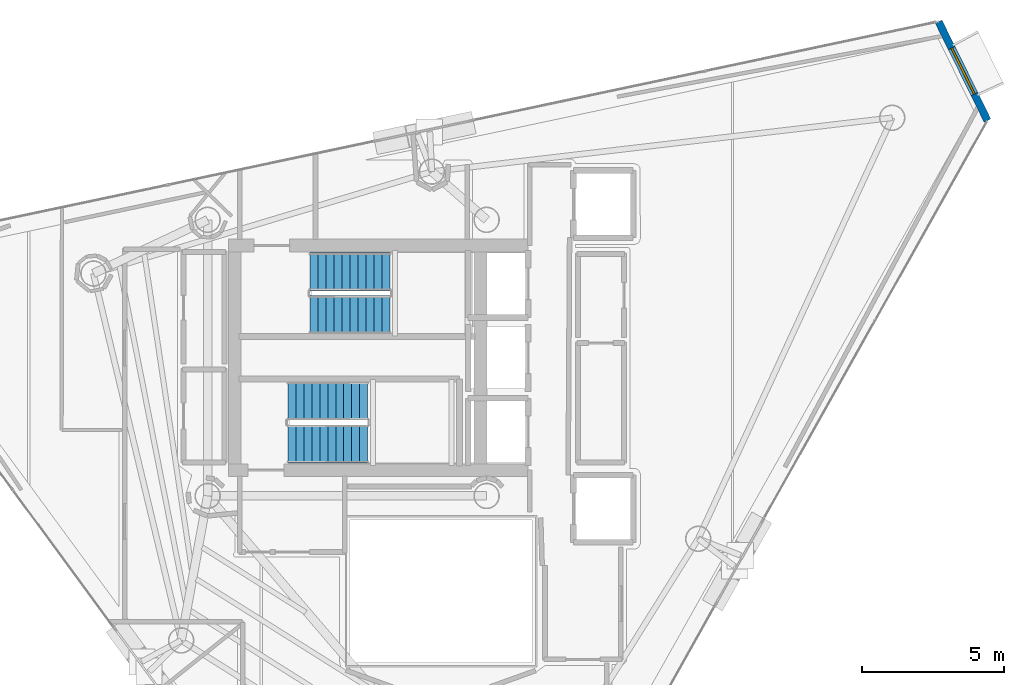
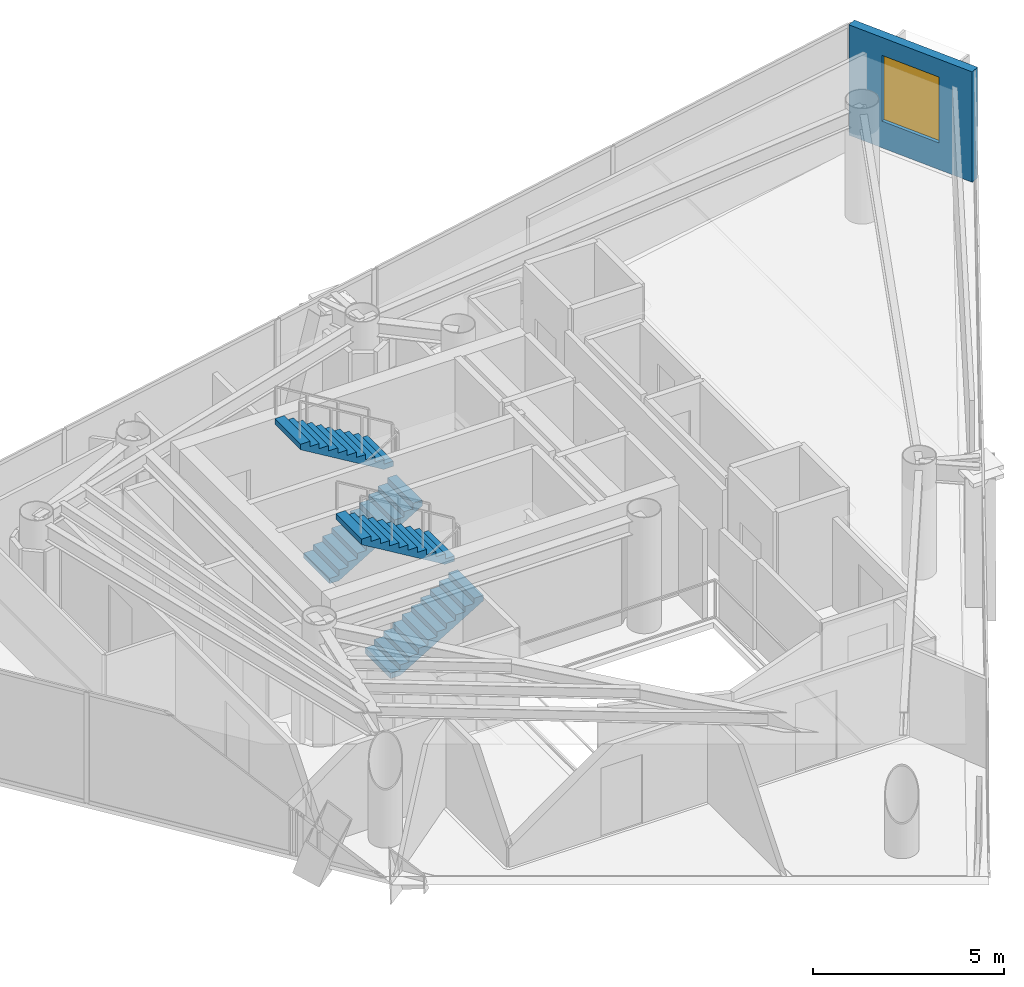
# One storey, part 19 of 21: 4 stair flights, 1 wall, 1 window, 1 opening, 2 elements without a shape of their own.
"""IFC4 building model written with IfcOpenShell, lengths in metres."""

import ifcopenshell
import ifcopenshell.guid

model = None  # the IFC model being written
_history = None  # IfcOwnerHistory: only IFC2X3 demands one
_inside = {}  # id of a spatial element -> (the spatial element, [elements in it])
_under = {}  # id of a project, library or spatial element -> (it, [spatial elements below it])
_declared = {}  # id of a project -> (the project, [libraries it declares])
_typed = {}  # id of a type object -> (the type object, [elements of that type])
_made_of = {}  # id of a material, layer set ... -> (it, [elements and type objects made of it])


def new_model(schema):
    """Start an empty IFC model of exactly this schema.

    Asked for "IFC4X3", IfcOpenShell would pick the latest addendum, in which some entities
    have other attributes; the version numbers below select the first issue.
    IFC2X3 requires an IfcOwnerHistory on every rooted entity: one is made here for all.
    """
    global model, _history
    if schema == "IFC4X3":
        model = ifcopenshell.file(schema_version=(4, 3, 0, 0))
    else:
        model = ifcopenshell.file(schema=schema)
    _inside.clear()
    _under.clear()
    _declared.clear()
    _typed.clear()
    _made_of.clear()
    _history = None
    if model.schema == "IFC2X3":
        org = make("IfcOrganization", Name="unknown")
        user = make(
            "IfcPersonAndOrganization",
            ThePerson=make("IfcPerson", FamilyName="unknown"),
            TheOrganization=org,
        )
        app = make(
            "IfcApplication",
            ApplicationDeveloper=org,
            Version="unknown",
            ApplicationFullName="unknown",
            ApplicationIdentifier="unknown",
        )
        _history = make(
            "IfcOwnerHistory",
            OwningUser=user,
            OwningApplication=app,
            ChangeAction="ADDED",
            CreationDate=0,
        )
    return model


def make(cls, **values):
    """One entity of the class cls with the attributes given. An attribute that is None is left unset."""
    return model.create_entity(
        cls, **{name: value for name, value in values.items() if value is not None}
    )


def rooted(cls, **values):
    """An entity with a GlobalId (a new one), such as an element, a storey or a relation."""
    return make(cls, GlobalId=ifcopenshell.guid.new(), OwnerHistory=_history, **values)


def si_unit(unit_type, name, prefix=None):
    """IfcSIUnit, for example si_unit("LENGTHUNIT", "METRE", prefix="MILLI")."""
    return make("IfcSIUnit", UnitType=unit_type, Prefix=prefix, Name=name)


def assignment(units):
    """IfcUnitAssignment: the units of a project."""
    return None if units is None else make("IfcUnitAssignment", Units=units)


def point(xyz):
    """IfcCartesianPoint."""
    return None if xyz is None else make("IfcCartesianPoint", Coordinates=xyz)


def direction(xyz):
    """IfcDirection."""
    return None if xyz is None else make("IfcDirection", DirectionRatios=xyz)


def frame(location, z_axis=None, x_axis=None):
    """IfcAxis2Placement3D, a coordinate frame: its origin and axes. An axis left out is left unset."""
    return make(
        "IfcAxis2Placement3D",
        Location=point(location),
        Axis=direction(z_axis),
        RefDirection=direction(x_axis),
    )


def frame_2d(location, x_axis=None):
    """IfcAxis2Placement2D, a coordinate frame in the plane: its origin and x axis."""
    return make(
        "IfcAxis2Placement2D", Location=point(location), RefDirection=direction(x_axis)
    )


def origin():
    """The frame at (0, 0, 0) with its axes left unset."""
    return frame((0.0, 0.0, 0.0))


def place(relative_to, where):
    """IfcLocalPlacement: puts the frame where relative to a parent placement (None: the world)."""
    return make(
        "IfcLocalPlacement", PlacementRelTo=relative_to, RelativePlacement=where
    )


def context(
    kind, dimensions, precision=None, world=None, true_north=None, identifier=None
):
    """IfcGeometricRepresentationContext, for example the 3D "Model" context."""
    return make(
        "IfcGeometricRepresentationContext",
        ContextIdentifier=identifier,
        ContextType=kind,
        CoordinateSpaceDimension=dimensions,
        Precision=precision,
        WorldCoordinateSystem=world,
        TrueNorth=true_north,
    )


def subcontext(parent, identifier, kind, view, scale=None):
    """IfcGeometricRepresentationSubContext, for example "Body" below "Model"."""
    return make(
        "IfcGeometricRepresentationSubContext",
        ContextIdentifier=identifier,
        ContextType=kind,
        ParentContext=parent,
        TargetScale=scale,
        TargetView=view,
    )


def project(units=None, contexts=None):
    """IfcProject with its units and contexts."""
    return rooted(
        "IfcProject",
        Name="project",
        RepresentationContexts=contexts,
        UnitsInContext=assignment(units),
    )


def spatial(cls, under=None, at=None, **own):
    """A site, building, storey or space (cls), placed at a placement, below another one or the project."""
    s = rooted(cls, ObjectPlacement=at, **own)
    if under is not None:
        _under.setdefault(under.id(), (under, []))[1].append(s)
    return s


def polyline(points):
    """IfcPolyline through the points."""
    return make("IfcPolyline", Points=[point(p) for p in points])


def profile(cls, at=None, kind="AREA", **sizes):
    """A parametric profile (cls). Its sizes go by their IFC names, for example OverallWidth=200.0."""
    return make(cls, ProfileType=kind, Position=at, **sizes)


def rectangle(**sizes):
    """IfcRectangleProfileDef."""
    return profile("IfcRectangleProfileDef", **sizes)


def outline(outer, holes=None, kind="AREA"):
    """IfcArbitraryClosedProfileDef: a profile drawn as a closed curve; with holes, ...WithVoids."""
    if holes is None:
        return make("IfcArbitraryClosedProfileDef", ProfileType=kind, OuterCurve=outer)
    return make(
        "IfcArbitraryProfileDefWithVoids",
        ProfileType=kind,
        OuterCurve=outer,
        InnerCurves=holes,
    )


def extrude(swept, where, along, depth):
    """IfcExtrudedAreaSolid: the profile swept, set in the frame where, extruded along a direction by depth."""
    return make(
        "IfcExtrudedAreaSolid",
        SweptArea=swept,
        Position=where,
        ExtrudedDirection=direction(along),
        Depth=depth,
    )


def shape(context_of_items, identifier, shape_type, items):
    """IfcShapeRepresentation: the items that make up one representation, for example the "Body"."""
    return make(
        "IfcShapeRepresentation",
        ContextOfItems=context_of_items,
        RepresentationIdentifier=identifier,
        RepresentationType=shape_type,
        Items=items,
    )


def material(Name=None, Category=None):
    """IfcMaterial."""
    return make("IfcMaterial", Name=Name, Category=Category)


def layer(
    of_material, thickness, ventilated=None, Name=None, Category=None, Priority=None
):
    """IfcMaterialLayer: one layer of a wall or slab, of a material (None: an air gap)."""
    return make(
        "IfcMaterialLayer",
        Material=of_material,
        LayerThickness=thickness,
        IsVentilated=ventilated,
        Name=Name,
        Category=Category,
        Priority=Priority,
    )


def layer_set(layers, Name=None):
    """IfcMaterialLayerSet."""
    return make("IfcMaterialLayerSet", MaterialLayers=layers, LayerSetName=Name)


def made_of(thing, what):
    """Note that an element or type object is made of a material, layer set ...; save() writes the relation."""
    if what is not None:
        _made_of.setdefault(what.id(), (what, []))[1].append(thing)
    return thing


def type_object(cls, material=None, **own):
    """A type object (cls), such as IfcWallType, which elements share."""
    return made_of(rooted(cls, **own), material)


def element(
    cls,
    number,
    at=None,
    inside=None,
    cuts=None,
    type_object=None,
    material=None,
    context=None,
    identifier="Body",
    shape_type=None,
    held_by="IfcProductDefinitionShape",
    body=None,
    shapes=None,
    **own,
):
    """One element of the class cls, such as IfcWall. Its Tag is "e" and its number.

    at: its placement. inside: the storey or other place that contains it. cuts: it is an
    opening in that element (IfcRelVoidsElement). A single representation is given by context,
    identifier, shape_type and body (its items); several are given by shapes. held_by: the class
    of the entity that holds the representations. save() writes the other relations.
    """
    e = rooted(cls, Tag="e%d" % number, ObjectPlacement=at, **own)
    if body is not None:
        shapes = [shape(context, identifier, shape_type, body)]
    if shapes is not None:
        e.Representation = make(held_by, Representations=shapes)
    if inside is not None:
        _inside.setdefault(inside.id(), (inside, []))[1].append(e)
    if cuts is not None:
        rooted(
            "IfcRelVoidsElement", RelatingBuildingElement=cuts, RelatedOpeningElement=e
        )
    if type_object is not None:
        _typed.setdefault(type_object.id(), (type_object, []))[1].append(e)
    return made_of(e, material)


def fill(opening, filler):
    """IfcRelFillsElement: the door or window that sits in an opening."""
    return rooted(
        "IfcRelFillsElement",
        RelatingOpeningElement=opening,
        RelatedBuildingElement=filler,
    )


def aggregate(whole, parts):
    """IfcRelAggregates: a whole, such as a stair, and the parts it consists of."""
    return rooted("IfcRelAggregates", RelatingObject=whole, RelatedObjects=parts)


def save(model, path):
    """Write the relations noted so far, then the file.

    IfcRelAggregates (storeys below a building ...), IfcRelContainedInSpatialStructure (elements
    in a storey), IfcRelDefinesByType, IfcRelAssociatesMaterial and IfcRelDeclares: one each for
    every whole, place, type object, material and project.
    """
    for whole, parts in _under.values():
        aggregate(whole, parts)
    for where, things in _inside.values():
        rooted(
            "IfcRelContainedInSpatialStructure",
            RelatedElements=things,
            RelatingStructure=where,
        )
    for kind, things in _typed.values():
        rooted("IfcRelDefinesByType", RelatedObjects=things, RelatingType=kind)
    for what, things in _made_of.values():
        rooted("IfcRelAssociatesMaterial", RelatedObjects=things, RelatingMaterial=what)
    for by, libraries in _declared.values():
        rooted("IfcRelDeclares", RelatingContext=by, RelatedDefinitions=libraries)
    model.write(path)


model = new_model("IFC4")

# Units and contexts
model_context = context("Model", 3, precision=1e-05, world=origin(), true_north=direction((0.0, 1.0)))
body_context = subcontext(model_context, "Body", "Model", "MODEL_VIEW")
ifc_project = project(units=[si_unit("LENGTHUNIT", "METRE"), si_unit("AREAUNIT", "SQUARE_METRE"), si_unit("VOLUMEUNIT", "CUBIC_METRE"), si_unit("PLANEANGLEUNIT", "RADIAN"), si_unit("MASSUNIT", "GRAM", prefix="KILO")], contexts=[model_context])

# Site, building, storey
site_placement = place(None, origin())
site = spatial("IfcSite", under=ifc_project, at=site_placement, CompositionType="ELEMENT")
building_placement = place(site_placement, origin())
building = spatial("IfcBuilding", under=site, at=building_placement, Name="Qianvela Tower", CompositionType="ELEMENT")
storey_placement = place(building_placement, frame((0.0, 0.0, 302.800048828125)))
storey = spatial("IfcBuildingStorey", under=building, at=storey_placement, Name="L78", CompositionType="ELEMENT", Elevation=302.800048828125)

# Wall, opening, window
ifc_material_1 = material(Name="Terracotta Cladding on Concrete C40", Category="masonry")
ifc_layer = layer(ifc_material_1, 0.260009765625)
ifc_layer_set = layer_set([ifc_layer], Name="Terracotta Cladding on Concrete C40")
wall_type = type_object("IfcWallType", Name="TERRACOTTA-WALL-260", PredefinedType="SOLIDWALL", material=ifc_layer_set)
wall_placement = place(storey_placement, frame((55.994140625, 37.038330078125, 0.0), z_axis=(0.0, 0.0, 1.0), x_axis=(-0.442999205078, 0.896522004359, 0.0)))
wall = element("IfcWall", 1, at=wall_placement, inside=storey, type_object=wall_type, Name="L78 Terracotta Chamfer Facet Wall 1", PredefinedType="SOLIDWALL", context=body_context, shape_type="SweptSolid", body=[
    extrude(rectangle(XDim=3.874267578125, YDim=0.260009765625, at=frame_2d((1.93701171875, 0.0))), origin(), (0.0, 0.0, 1.0), 3.52001953125),
])
opening_placement = place(wall_placement, frame((1.037109375, 0.0, 0.85009765625)))
opening = element("IfcOpeningElement", 2, at=opening_placement, cuts=wall, Name="Opening W-01", PredefinedType="OPENING", context=body_context, shape_type="SweptSolid", body=[
    extrude(rectangle(XDim=1.800048828125, YDim=2.10009765625, at=frame_2d((0.89990234375, 1.050048828125))), frame((0.0, 0.139892578125, 0.0), z_axis=(0.0, -1.0, 0.0), x_axis=(1.0, 0.0, 0.0)), (0.0, 0.0, 1.0), 0.280029296875),
])
ifc_material_2 = material(Name="Thermally Broken Aluminium and Low-E Glass", Category="aluminium")
window_type = type_object("IfcWindowType", Name="WIN-TC-1800x2100", PartitioningType="DOUBLE_PANEL_VERTICAL", PredefinedType="WINDOW", material=ifc_material_2)
window_placement = place(opening_placement, origin())
window = element("IfcWindow", 3, at=window_placement, inside=storey, type_object=window_type, Name="L78 Chamfer Facet Window 1.1", OverallHeight=2.10009765625, OverallWidth=1.800048828125, PartitioningType="SINGLE_PANEL", PredefinedType="WINDOW", context=body_context, shape_type="SweptSolid", body=[
    extrude(rectangle(XDim=1.800048828125, YDim=2.10009765625, at=frame_2d((0.89990234375, 1.050048828125))), frame((0.0, 0.030029296875, 0.0), z_axis=(0.0, -1.0, 0.0), x_axis=(1.0, 0.0, 0.0)), (0.0, 0.0, 1.0), 0.06005859375),
])
fill(opening, window)

# Stair, stair flights
ifc_material_3 = material(Name="Concrete C40", Category="concrete")
stair_type = type_object("IfcStairType", Name="ST-DOGLEG-1350-R168-N22", PredefinedType="HALF_TURN_STAIR", material=ifc_material_3)
stair_1_placement = place(storey_placement, origin())
stair_1 = element("IfcStair", 4, at=stair_1_placement, inside=storey, type_object=stair_type, Name="L78 Smoke-Proof Core Stair ST-1", PredefinedType="HALF_TURN_STAIR")
ifc_material_4 = material(Name="Concrete C40", Category="concrete")
stair_flight_type = type_object("IfcStairFlightType", Name="STF-STRAIGHT-R168-P11", PredefinedType="STRAIGHT", material=ifc_material_4)
stair_flight_1_placement = place(storey_placement, frame((32.199951171875, 30.215087890625, 0.0), z_axis=(0.0, 0.0, 1.0), x_axis=(1.0, 0.0, 0.0)))
stair_flight_1 = element("IfcStairFlight", 5, at=stair_flight_1_placement, type_object=stair_flight_type, Name="ST-1 flight 1", NumberOfRisers=11, NumberOfTreads=10, PredefinedType="STRAIGHT", RiserHeight=0.168181818, TreadLength=0.28, context=body_context, shape_type="SweptSolid", body=[
    extrude(outline(polyline([(0.0, 0.0), (0.0, 0.168212890625), (0.280029296875, 0.168212890625), (0.280029296875, 0.33642578125), (0.56005859375, 0.33642578125), (0.56005859375, 0.504638671875), (0.840087890625, 0.504638671875), (0.840087890625, 0.672607421875), (1.1201171875, 0.672607421875), (1.1201171875, 0.8408203125), (1.39990234375, 0.8408203125), (1.39990234375, 1.009033203125), (1.679931640625, 1.009033203125), (1.679931640625, 1.17724609375), (1.9599609375, 1.17724609375), (1.9599609375, 1.345458984375), (2.239990234375, 1.345458984375), (2.239990234375, 1.513671875), (2.52001953125, 1.513671875), (2.52001953125, 1.681884765625), (2.800048828125, 1.681884765625), (2.800048828125, 1.85009765625), (2.800048828125, 1.5068359375), (0.291015625, 0.0), (0.0, 0.0)])), frame((0.0, 0.675048828125, 0.0), z_axis=(0.0, -1.0, 0.0), x_axis=(1.0, 0.0, 0.0)), (0.0, 0.0, 1.0), 1.35009765625),
])
stair_flight_2_placement = place(storey_placement, frame((35.0, 31.72509765625, 1.849853515625), z_axis=(0.0, 0.0, 1.0), x_axis=(-1.0, 0.0, 0.0)))
stair_flight_2 = element("IfcStairFlight", 6, at=stair_flight_2_placement, type_object=stair_flight_type, Name="ST-1 flight 2", NumberOfRisers=11, NumberOfTreads=10, PredefinedType="STRAIGHT", RiserHeight=0.168181818, TreadLength=0.28, context=body_context, shape_type="SweptSolid", body=[
    extrude(outline(polyline([(0.0, 0.0), (0.0, 0.168212890625), (0.280029296875, 0.168212890625), (0.280029296875, 0.33642578125), (0.56005859375, 0.33642578125), (0.56005859375, 0.504638671875), (0.840087890625, 0.504638671875), (0.840087890625, 0.672607421875), (1.1201171875, 0.672607421875), (1.1201171875, 0.8408203125), (1.39990234375, 0.8408203125), (1.39990234375, 1.009033203125), (1.679931640625, 1.009033203125), (1.679931640625, 1.17724609375), (1.9599609375, 1.17724609375), (1.9599609375, 1.345458984375), (2.239990234375, 1.345458984375), (2.239990234375, 1.513671875), (2.52001953125, 1.513671875), (2.52001953125, 1.681884765625), (2.800048828125, 1.681884765625), (2.800048828125, 1.85009765625), (2.800048828125, 1.5068359375), (0.291015625, 0.0), (0.0, 0.0)])), frame((0.0, 0.675048828125, 0.0), z_axis=(0.0, -1.0, 0.0), x_axis=(1.0, 0.0, 0.0)), (0.0, 0.0, 1.0), 1.35009765625),
])
aggregate(stair_1, [stair_flight_1, stair_flight_2])

stair_2_placement = place(storey_placement, origin())
stair_2 = element("IfcStair", 7, at=stair_2_placement, inside=storey, type_object=stair_type, Name="L78 Smoke-Proof Core Stair ST-2", PredefinedType="HALF_TURN_STAIR")
stair_flight_3_placement = place(storey_placement, frame((31.419921875, 25.675048828125, 0.0), z_axis=(0.0, 0.0, 1.0), x_axis=(1.0, 0.0, 0.0)))
stair_flight_3 = element("IfcStairFlight", 8, at=stair_flight_3_placement, type_object=stair_flight_type, Name="ST-2 flight 1", NumberOfRisers=11, NumberOfTreads=10, PredefinedType="STRAIGHT", RiserHeight=0.168181818, TreadLength=0.28, context=body_context, shape_type="SweptSolid", body=[
    extrude(outline(polyline([(0.0, 0.0), (0.0, 0.168212890625), (0.280029296875, 0.168212890625), (0.280029296875, 0.33642578125), (0.56005859375, 0.33642578125), (0.56005859375, 0.504638671875), (0.840087890625, 0.504638671875), (0.840087890625, 0.672607421875), (1.1201171875, 0.672607421875), (1.1201171875, 0.8408203125), (1.39990234375, 0.8408203125), (1.39990234375, 1.009033203125), (1.679931640625, 1.009033203125), (1.679931640625, 1.17724609375), (1.9599609375, 1.17724609375), (1.9599609375, 1.345458984375), (2.239990234375, 1.345458984375), (2.239990234375, 1.513671875), (2.52001953125, 1.513671875), (2.52001953125, 1.681884765625), (2.800048828125, 1.681884765625), (2.800048828125, 1.85009765625), (2.800048828125, 1.5068359375), (0.291015625, 0.0), (0.0, 0.0)])), frame((0.0, 0.675048828125, 0.0), z_axis=(0.0, -1.0, 0.0), x_axis=(1.0, 0.0, 0.0)), (0.0, 0.0, 1.0), 1.35009765625),
])
stair_flight_4_placement = place(storey_placement, frame((34.219970703125, 27.18505859375, 1.849853515625), z_axis=(0.0, 0.0, 1.0), x_axis=(-1.0, 0.0, 0.0)))
stair_flight_4 = element("IfcStairFlight", 9, at=stair_flight_4_placement, type_object=stair_flight_type, Name="ST-2 flight 2", NumberOfRisers=11, NumberOfTreads=10, PredefinedType="STRAIGHT", RiserHeight=0.168181818, TreadLength=0.28, context=body_context, shape_type="SweptSolid", body=[
    extrude(outline(polyline([(0.0, 0.0), (0.0, 0.168212890625), (0.280029296875, 0.168212890625), (0.280029296875, 0.33642578125), (0.56005859375, 0.33642578125), (0.56005859375, 0.504638671875), (0.840087890625, 0.504638671875), (0.840087890625, 0.672607421875), (1.1201171875, 0.672607421875), (1.1201171875, 0.8408203125), (1.39990234375, 0.8408203125), (1.39990234375, 1.009033203125), (1.679931640625, 1.009033203125), (1.679931640625, 1.17724609375), (1.9599609375, 1.17724609375), (1.9599609375, 1.345458984375), (2.239990234375, 1.345458984375), (2.239990234375, 1.513671875), (2.52001953125, 1.513671875), (2.52001953125, 1.681884765625), (2.800048828125, 1.681884765625), (2.800048828125, 1.85009765625), (2.800048828125, 1.5068359375), (0.291015625, 0.0), (0.0, 0.0)])), frame((0.0, 0.675048828125, 0.0), z_axis=(0.0, -1.0, 0.0), x_axis=(1.0, 0.0, 0.0)), (0.0, 0.0, 1.0), 1.35009765625),
])
aggregate(stair_2, [stair_flight_3, stair_flight_4])

save(model, "model.ifc")
